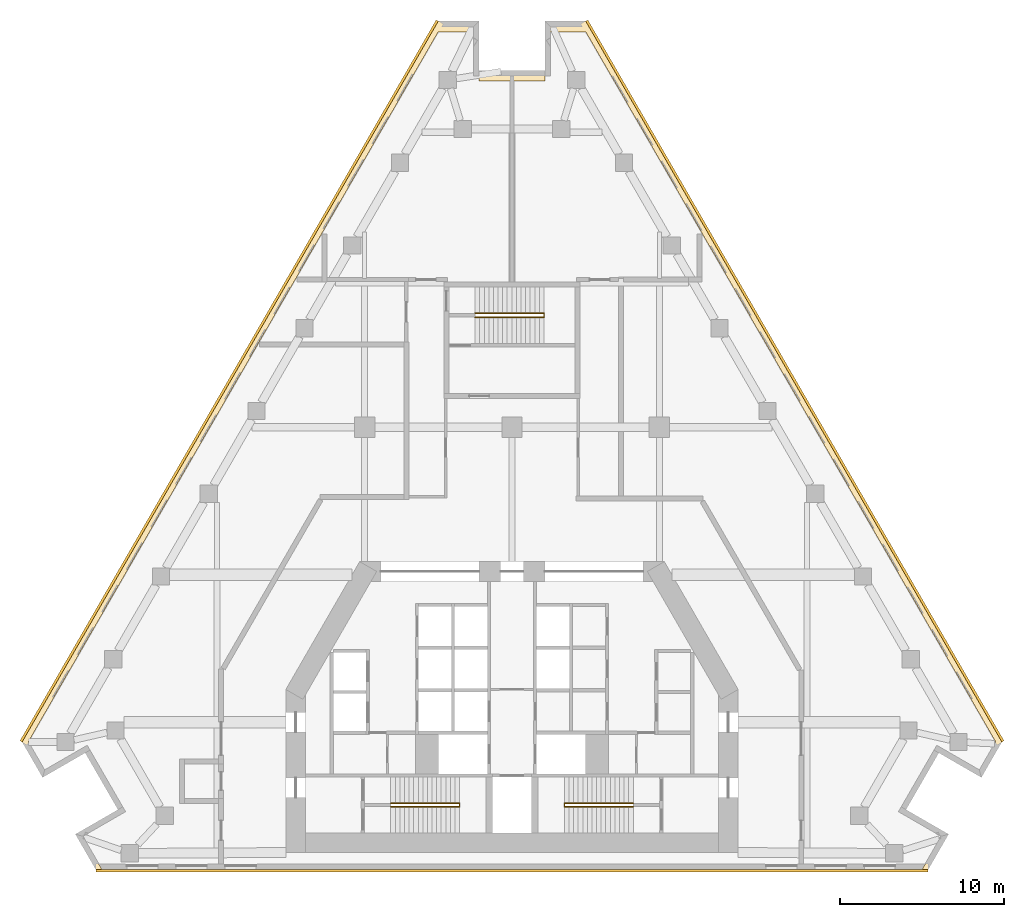
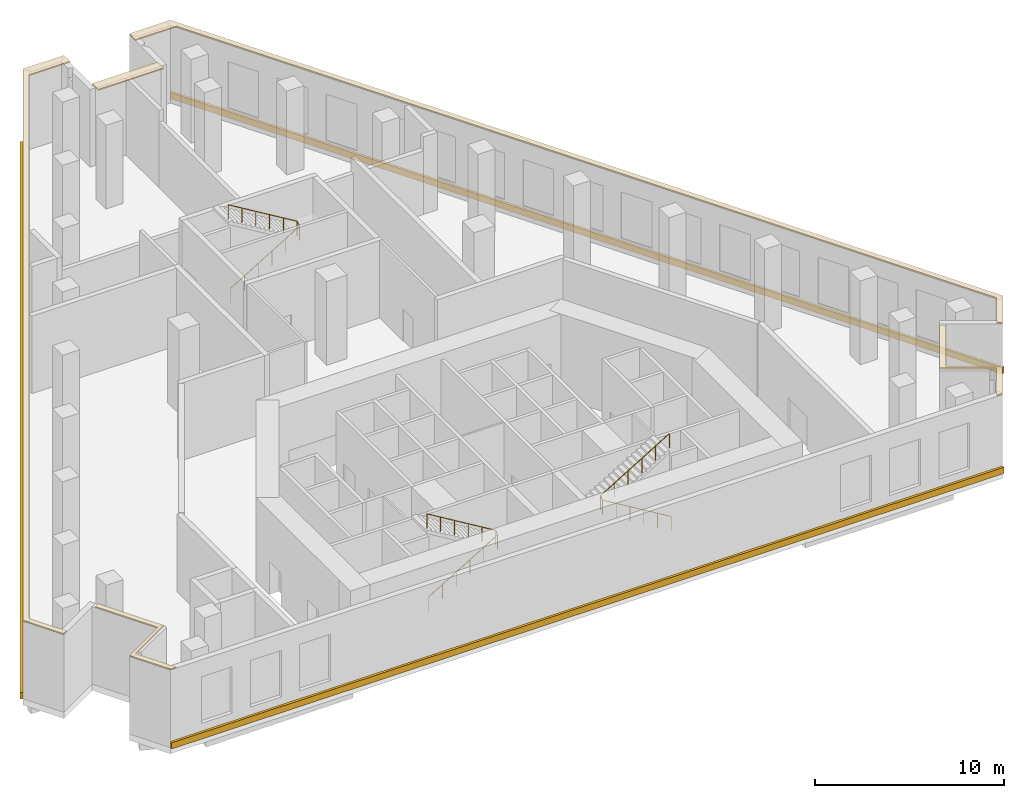
# One storey, part 10 of 10: 8 coverings, 3 railings.
"""IFC4 building model written with IfcOpenShell, lengths in metres."""

from ifc_helpers import new_model, si_unit, direction, frame, origin, origin_2d, place, context, subcontext, project, spatial, polyline, circle, outline, extrude, material, layer, layer_set, type_object, element, save


model = new_model("IFC4")

# Units and contexts
model_context = context("Model", 3, precision=1e-05, world=origin(), true_north=direction((0.0, 1.0)))
body_context = subcontext(model_context, "Body", "Model", "MODEL_VIEW")
ifc_project = project(units=[si_unit("LENGTHUNIT", "METRE"), si_unit("AREAUNIT", "SQUARE_METRE"), si_unit("VOLUMEUNIT", "CUBIC_METRE"), si_unit("PLANEANGLEUNIT", "RADIAN"), si_unit("MASSUNIT", "GRAM", prefix="KILO")], contexts=[model_context])

# Site, building, storey
site_placement = place(None, origin())
site = spatial("IfcSite", under=ifc_project, at=site_placement, CompositionType="ELEMENT")
building_placement = place(site_placement, origin())
building = spatial("IfcBuilding", under=site, at=building_placement, Name="Fogline Exchange Tower", CompositionType="ELEMENT")
storey_placement = place(building_placement, frame((0.0, 0.0, 132.10009765625)))
storey = spatial("IfcBuildingStorey", under=building, at=storey_placement, Name="L29", CompositionType="ELEMENT", Elevation=132.10009765625)

# Coverings
ifc_material_1 = material(Name="Granite", Category="masonry")
ifc_layer = layer(ifc_material_1, 0.080078125)
ifc_layer_set = layer_set([ifc_layer], Name="CP1")
covering_type_1 = type_object("IfcCoveringType", Name="CP1", PredefinedType="USERDEFINED", material=ifc_layer_set)
covering_1_placement = place(storey_placement, frame((0.0, 0.0, 5.0)))
element("IfcCovering", 1, at=covering_1_placement, inside=storey, type_object=covering_type_1, Name="Ledge coping L29", ObjectType="COPING", PredefinedType="USERDEFINED", context=body_context, shape_type="SweptSolid", body=[
    extrude(outline(polyline([(-28.643310546875, 5.629150390625), (-28.364013671875, 5.790283203125), (-29.52099609375, 7.794189453125), (-4.5, 51.131591796875), (-2.0, 51.131591796875), (-2.0, 51.776611328125), (-4.5, 51.776611328125), (-29.893310546875, 7.794189453125), (-28.643310546875, 5.629150390625)])), origin(), (0.0, 0.0, 1.0), 0.079833984375),
])
covering_2_placement = place(storey_placement, frame((0.0, 0.0, 5.0)))
element("IfcCovering", 2, at=covering_2_placement, inside=storey, type_object=covering_type_1, Name="Ledge coping L29", ObjectType="COPING", PredefinedType="USERDEFINED", context=body_context, shape_type="SweptSolid", body=[
    extrude(outline(polyline([(-25.393310546875, 0.0), (-25.02099609375, 0.0), (-26.27099609375, 2.1650390625), (-23.6728515625, 3.6650390625), (-25.6728515625, 7.129150390625), (-25.9521484375, 6.968017578125), (-24.045166015625, 3.6650390625), (-26.643310546875, 2.1650390625), (-25.393310546875, 0.0)])), origin(), (0.0, 0.0, 1.0), 0.079833984375),
])
covering_3_placement = place(storey_placement, frame((0.0, 0.0, 5.0)))
element("IfcCovering", 3, at=covering_3_placement, inside=storey, type_object=covering_type_1, Name="Ledge coping L29", ObjectType="COPING", PredefinedType="USERDEFINED", context=body_context, shape_type="SweptSolid", body=[
    extrude(outline(polyline([(24.045166015625, 3.6650390625), (25.9521484375, 6.968017578125), (25.6728515625, 7.129150390625), (23.6728515625, 3.6650390625), (26.27099609375, 2.1650390625), (25.02099609375, 0.0), (25.393310546875, 0.0), (26.643310546875, 2.1650390625), (24.045166015625, 3.6650390625)])), origin(), (0.0, 0.0, 1.0), 0.079833984375),
])
covering_4_placement = place(storey_placement, frame((0.0, 0.0, 5.0)))
element("IfcCovering", 4, at=covering_4_placement, inside=storey, type_object=covering_type_1, Name="Ledge coping L29", ObjectType="COPING", PredefinedType="USERDEFINED", context=body_context, shape_type="SweptSolid", body=[
    extrude(outline(polyline([(2.0, 51.776611328125), (2.0, 51.131591796875), (4.5, 51.131591796875), (29.52099609375, 7.794189453125), (28.364013671875, 5.790283203125), (28.643310546875, 5.629150390625), (29.893310546875, 7.794189453125), (4.5, 51.776611328125), (2.0, 51.776611328125)])), origin(), (0.0, 0.0, 1.0), 0.079833984375),
])
covering_5_placement = place(storey_placement, frame((0.0, 0.0, 5.0)))
element("IfcCovering", 5, at=covering_5_placement, inside=storey, type_object=covering_type_1, Name="Ledge coping L29", ObjectType="COPING", PredefinedType="USERDEFINED", context=body_context, shape_type="SweptSolid", body=[
    extrude(outline(polyline([(2.0, 48.776611328125), (-2.0, 48.776611328125), (-2.0, 48.131591796875), (2.0, 48.131591796875), (2.0, 48.776611328125)])), origin(), (0.0, 0.0, 1.0), 0.079833984375),
])

# Railings
ifc_material_2 = material(Name="Steel Q235B", Category="steel")
railing_type = type_object("IfcRailingType", Name="RL-HR", PredefinedType="HANDRAIL", material=ifc_material_2)
railing_1_placement = place(storey_placement, frame((-7.39990234375, 3.85009765625, 0.168701171875)))
element("IfcRailing", 6, at=railing_1_placement, inside=storey, type_object=railing_type, Name="Handrail ST1", PredefinedType="HANDRAIL", context=body_context, shape_type="SweptSolid", body=[
    extrude(circle(Radius=0.02392578125, at=origin_2d()), frame((0.0, 0.0, 0.92578125), z_axis=(0.856476492594, 0.0, 0.516186030065), x_axis=(0.0, 1.0, 0.0)), (0.0, 0.0, 1.0), 4.90380859375),
    extrude(circle(Radius=0.02392578125, at=origin_2d()), frame((4.199951171875, 0.0, 3.45703125), z_axis=(0.0, 0.764305856904, 0.644853903688), x_axis=(-1.0, 0.0, 0.0)), (0.0, 0.0, 1.0), 0.26171875),
    extrude(circle(Radius=0.02392578125, at=origin_2d()), frame((4.199951171875, 0.199951171875, 3.6259765625), z_axis=(-0.856476492594, 0.0, 0.516186030065), x_axis=(0.0, -1.0, 0.0)), (0.0, 0.0, 1.0), 4.90380859375),
    extrude(circle(Radius=0.02099609375, at=origin_2d()), origin(), (0.0, 0.0, 1.0), 0.90185546875),
    extrude(circle(Radius=0.02099609375, at=origin_2d()), frame((0.840087890625, 0.0, 0.50634765625)), (0.0, 0.0, 1.0), 0.90185546875),
    extrude(circle(Radius=0.02099609375, at=origin_2d()), frame((1.679931640625, 0.0, 1.012451171875)), (0.0, 0.0, 1.0), 0.90185546875),
    extrude(circle(Radius=0.02099609375, at=origin_2d()), frame((2.52001953125, 0.0, 1.518798828125)), (0.0, 0.0, 1.0), 0.90185546875),
    extrude(circle(Radius=0.02099609375, at=origin_2d()), frame((3.35986328125, 0.0, 2.02490234375)), (0.0, 0.0, 1.0), 0.90185546875),
    extrude(circle(Radius=0.02099609375, at=origin_2d()), frame((4.199951171875, 0.0, 2.53125)), (0.0, 0.0, 1.0), 0.90185546875),
    extrude(circle(Radius=0.02099609375, at=origin_2d()), frame((4.199951171875, 0.199951171875, 2.699951171875)), (0.0, 0.0, 1.0), 0.90185546875),
    extrude(circle(Radius=0.02099609375, at=origin_2d()), frame((3.35986328125, 0.199951171875, 3.206298828125)), (0.0, 0.0, 1.0), 0.90185546875),
    extrude(circle(Radius=0.02099609375, at=origin_2d()), frame((2.52001953125, 0.199951171875, 3.71240234375)), (0.0, 0.0, 1.0), 0.90185546875),
    extrude(circle(Radius=0.02099609375, at=origin_2d()), frame((1.679931640625, 0.199951171875, 4.21875)), (0.0, 0.0, 1.0), 0.90185546875),
    extrude(circle(Radius=0.02099609375, at=origin_2d()), frame((0.840087890625, 0.199951171875, 4.724853515625)), (0.0, 0.0, 1.0), 0.90185546875),
    extrude(circle(Radius=0.02099609375, at=origin_2d()), frame((0.0, 0.199951171875, 5.231201171875)), (0.0, 0.0, 1.0), 0.90185546875),
])
railing_2_placement = place(storey_placement, frame((7.39990234375, 3.85009765625, 0.168701171875)))
element("IfcRailing", 7, at=railing_2_placement, inside=storey, type_object=railing_type, Name="Handrail ST2", PredefinedType="HANDRAIL", context=body_context, shape_type="SweptSolid", body=[
    extrude(circle(Radius=0.02392578125, at=origin_2d()), frame((0.0, 0.0, 0.92578125), z_axis=(-0.856476492594, 0.0, 0.516186030065), x_axis=(0.0, -1.0, 0.0)), (0.0, 0.0, 1.0), 4.90380859375),
    extrude(circle(Radius=0.02392578125, at=origin_2d()), frame((-4.199951171875, 0.0, 3.45703125), z_axis=(0.0, 0.764305856904, 0.644853903688), x_axis=(-1.0, 0.0, 0.0)), (0.0, 0.0, 1.0), 0.26171875),
    extrude(circle(Radius=0.02392578125, at=origin_2d()), frame((-4.199951171875, 0.199951171875, 3.6259765625), z_axis=(0.856476492594, 0.0, 0.516186030065), x_axis=(0.0, 1.0, 0.0)), (0.0, 0.0, 1.0), 4.90380859375),
    extrude(circle(Radius=0.02099609375, at=origin_2d()), origin(), (0.0, 0.0, 1.0), 0.90185546875),
    extrude(circle(Radius=0.02099609375, at=origin_2d()), frame((-0.840087890625, 0.0, 0.50634765625)), (0.0, 0.0, 1.0), 0.90185546875),
    extrude(circle(Radius=0.02099609375, at=origin_2d()), frame((-1.679931640625, 0.0, 1.012451171875)), (0.0, 0.0, 1.0), 0.90185546875),
    extrude(circle(Radius=0.02099609375, at=origin_2d()), frame((-2.52001953125, 0.0, 1.518798828125)), (0.0, 0.0, 1.0), 0.90185546875),
    extrude(circle(Radius=0.02099609375, at=origin_2d()), frame((-3.35986328125, 0.0, 2.02490234375)), (0.0, 0.0, 1.0), 0.90185546875),
    extrude(circle(Radius=0.02099609375, at=origin_2d()), frame((-4.199951171875, 0.0, 2.53125)), (0.0, 0.0, 1.0), 0.90185546875),
    extrude(circle(Radius=0.02099609375, at=origin_2d()), frame((-4.199951171875, 0.199951171875, 2.699951171875)), (0.0, 0.0, 1.0), 0.90185546875),
    extrude(circle(Radius=0.02099609375, at=origin_2d()), frame((-3.35986328125, 0.199951171875, 3.206298828125)), (0.0, 0.0, 1.0), 0.90185546875),
    extrude(circle(Radius=0.02099609375, at=origin_2d()), frame((-2.52001953125, 0.199951171875, 3.71240234375)), (0.0, 0.0, 1.0), 0.90185546875),
    extrude(circle(Radius=0.02099609375, at=origin_2d()), frame((-1.679931640625, 0.199951171875, 4.21875)), (0.0, 0.0, 1.0), 0.90185546875),
    extrude(circle(Radius=0.02099609375, at=origin_2d()), frame((-0.840087890625, 0.199951171875, 4.724853515625)), (0.0, 0.0, 1.0), 0.90185546875),
    extrude(circle(Radius=0.02099609375, at=origin_2d()), frame((0.0, 0.199951171875, 5.231201171875)), (0.0, 0.0, 1.0), 0.90185546875),
])
railing_3_placement = place(storey_placement, frame((-2.25, 33.70703125, 0.168701171875)))
element("IfcRailing", 8, at=railing_3_placement, inside=storey, type_object=railing_type, Name="Handrail ST3", PredefinedType="HANDRAIL", context=body_context, shape_type="SweptSolid", body=[
    extrude(circle(Radius=0.02392578125, at=origin_2d()), frame((0.0, 0.0, 0.92578125), z_axis=(0.856476492594, 0.0, 0.516186030065), x_axis=(0.0, 1.0, 0.0)), (0.0, 0.0, 1.0), 4.90380859375),
    extrude(circle(Radius=0.02392578125, at=origin_2d()), frame((4.199951171875, 0.0, 3.45703125), z_axis=(0.0, 0.828923742226, 0.559361626834), x_axis=(-1.0, 0.0, 0.0)), (0.0, 0.0, 1.0), 0.301513671875),
    extrude(circle(Radius=0.02392578125, at=origin_2d()), frame((4.199951171875, 0.25, 3.6259765625), z_axis=(-0.856476492594, 0.0, 0.516186030065), x_axis=(0.0, -1.0, 0.0)), (0.0, 0.0, 1.0), 4.90380859375),
    extrude(circle(Radius=0.02099609375, at=origin_2d()), origin(), (0.0, 0.0, 1.0), 0.90185546875),
    extrude(circle(Radius=0.02099609375, at=origin_2d()), frame((0.840087890625, 0.0, 0.50634765625)), (0.0, 0.0, 1.0), 0.90185546875),
    extrude(circle(Radius=0.02099609375, at=origin_2d()), frame((1.679931640625, 0.0, 1.012451171875)), (0.0, 0.0, 1.0), 0.90185546875),
    extrude(circle(Radius=0.02099609375, at=origin_2d()), frame((2.52001953125, 0.0, 1.518798828125)), (0.0, 0.0, 1.0), 0.90185546875),
    extrude(circle(Radius=0.02099609375, at=origin_2d()), frame((3.35986328125, 0.0, 2.02490234375)), (0.0, 0.0, 1.0), 0.90185546875),
    extrude(circle(Radius=0.02099609375, at=origin_2d()), frame((4.199951171875, 0.0, 2.53125)), (0.0, 0.0, 1.0), 0.90185546875),
    extrude(circle(Radius=0.02099609375, at=origin_2d()), frame((4.199951171875, 0.25, 2.699951171875)), (0.0, 0.0, 1.0), 0.90185546875),
    extrude(circle(Radius=0.02099609375, at=origin_2d()), frame((3.35986328125, 0.25, 3.206298828125)), (0.0, 0.0, 1.0), 0.90185546875),
    extrude(circle(Radius=0.02099609375, at=origin_2d()), frame((2.52001953125, 0.25, 3.71240234375)), (0.0, 0.0, 1.0), 0.90185546875),
    extrude(circle(Radius=0.02099609375, at=origin_2d()), frame((1.679931640625, 0.25, 4.21875)), (0.0, 0.0, 1.0), 0.90185546875),
    extrude(circle(Radius=0.02099609375, at=origin_2d()), frame((0.840087890625, 0.25, 4.724853515625)), (0.0, 0.0, 1.0), 0.90185546875),
    extrude(circle(Radius=0.02099609375, at=origin_2d()), frame((0.0, 0.25, 5.231201171875)), (0.0, 0.0, 1.0), 0.90185546875),
])

# Coverings
ifc_material_3 = material(Name="Brick masonry", Category="masonry")
covering_type_2 = type_object("IfcCoveringType", Name="SB2", PredefinedType="CLADDING", material=ifc_material_3)
covering_6_placement = place(storey_placement, origin())
element("IfcCovering", 9, at=covering_6_placement, inside=storey, type_object=covering_type_2, Name="Stringcourse band L29 S", PredefinedType="CLADDING", context=body_context, shape_type="SweptSolid", body=[
    extrude(outline(polyline([(-25.393310546875, 0.0), (-25.393310546875, -0.14990234375), (25.393310546875, -0.14990234375), (25.393310546875, 0.0), (-25.393310546875, 0.0)])), origin(), (0.0, 0.0, 1.0), 0.39990234375),
])
covering_7_placement = place(storey_placement, origin())
element("IfcCovering", 10, at=covering_7_placement, inside=storey, type_object=covering_type_2, Name="Stringcourse band L29 E", PredefinedType="CLADDING", context=body_context, shape_type="SweptSolid", body=[
    extrude(outline(polyline([(29.893310546875, 7.794189453125), (30.023193359375, 7.869140625), (4.6298828125, 51.851806640625), (4.5, 51.776611328125), (29.893310546875, 7.794189453125)])), origin(), (0.0, 0.0, 1.0), 0.39990234375),
])
covering_8_placement = place(storey_placement, origin())
element("IfcCovering", 11, at=covering_8_placement, inside=storey, type_object=covering_type_2, Name="Stringcourse band L29 W", PredefinedType="CLADDING", context=body_context, shape_type="SweptSolid", body=[
    extrude(outline(polyline([(-4.5, 51.776611328125), (-4.6298828125, 51.851806640625), (-30.023193359375, 7.869140625), (-29.893310546875, 7.794189453125), (-4.5, 51.776611328125)])), origin(), (0.0, 0.0, 1.0), 0.39990234375),
])

save(model, "model.ifc")
